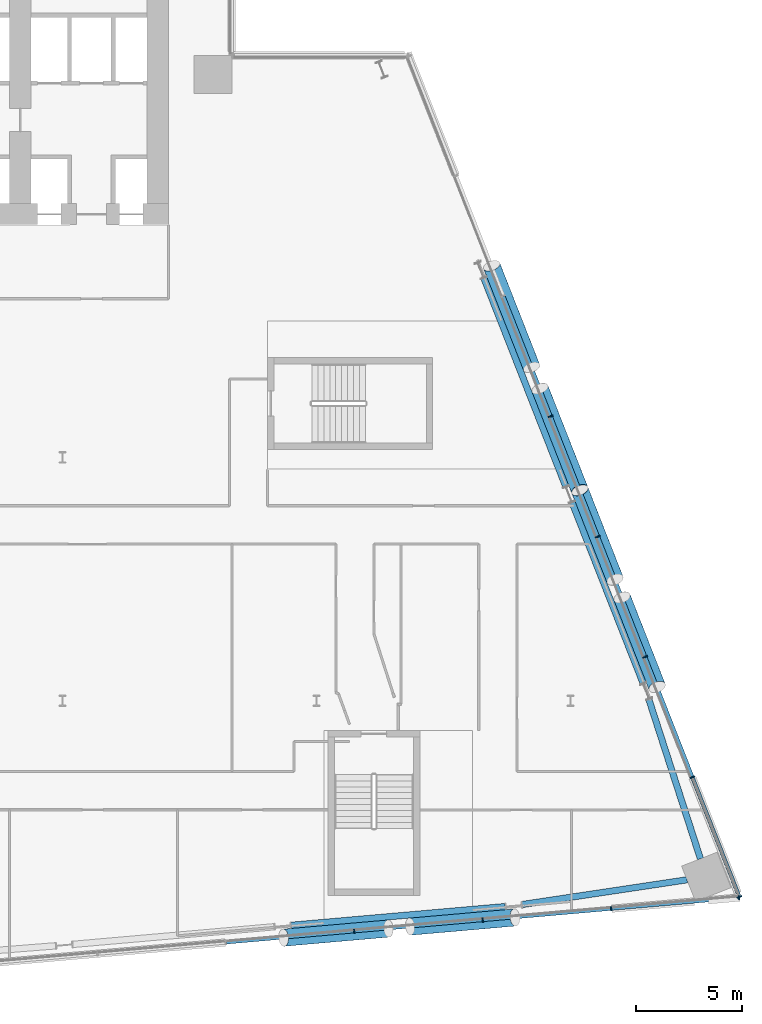
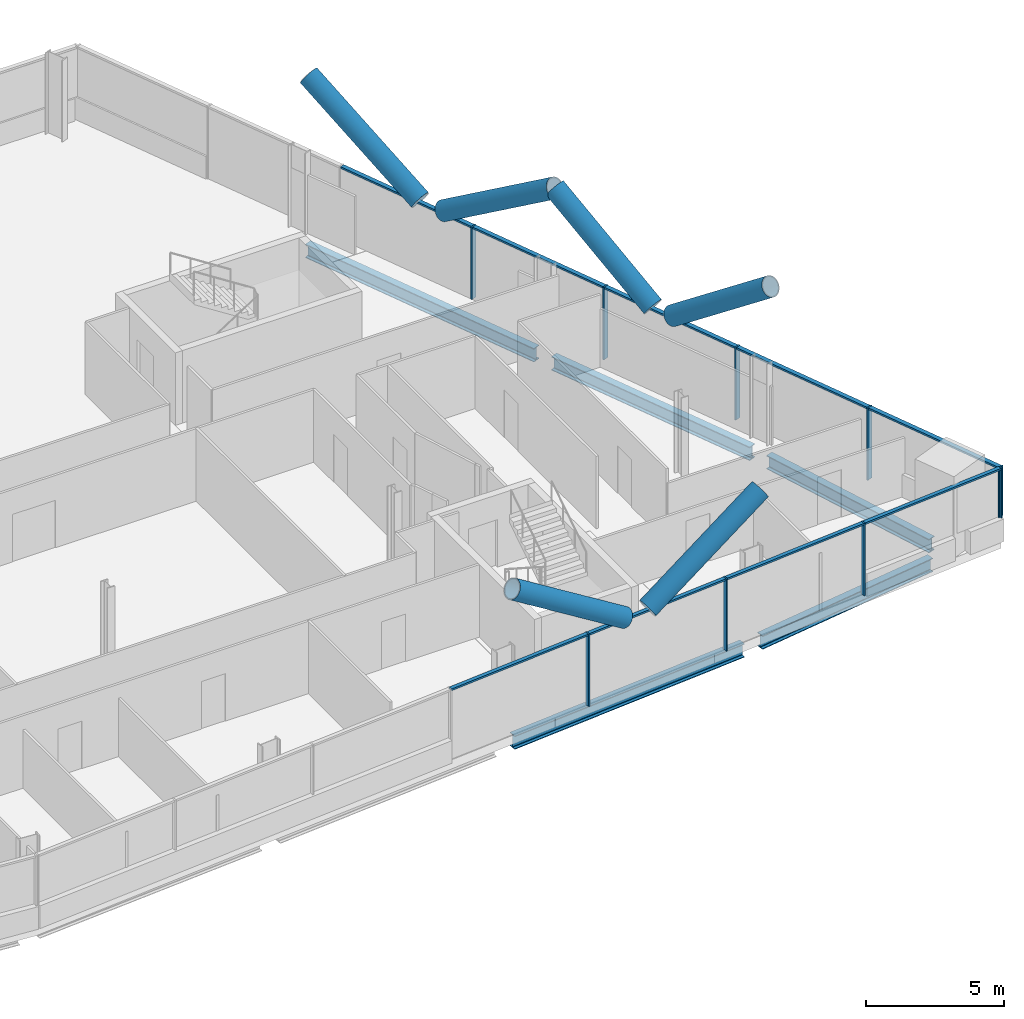
# One storey, part 10 of 28: 24 members, 5 beams, 2 elements without a shape of their own.
"""IFC4 building model written with IfcOpenShell, lengths in metres."""

from ifc_helpers import new_model, si_unit, direction, frame, origin, origin_2d, place, context, subcontext, project, spatial, rectangle, hollow_circle, i_section, extrude, material, material_profile, profile_set, type_object, element, aggregate, save


model = new_model("IFC4")

# Units and contexts
model_context = context("Model", 3, precision=1e-05, world=origin(), true_north=direction((0.0, 1.0)))
body_context = subcontext(model_context, "Body", "Model", "MODEL_VIEW")
ifc_project = project(units=[si_unit("LENGTHUNIT", "METRE"), si_unit("AREAUNIT", "SQUARE_METRE"), si_unit("VOLUMEUNIT", "CUBIC_METRE"), si_unit("PLANEANGLEUNIT", "RADIAN"), si_unit("MASSUNIT", "GRAM", prefix="KILO")], contexts=[model_context])

# Site, building, storey
site_placement = place(None, origin())
site = spatial("IfcSite", under=ifc_project, at=site_placement, CompositionType="ELEMENT")
building_placement = place(site_placement, origin())
building = spatial("IfcBuilding", under=site, at=building_placement, Name="Wharfspan Tower", CompositionType="ELEMENT")
storey_placement = place(building_placement, frame((0.0, 0.0, 132.699951)))
storey = spatial("IfcBuildingStorey", under=building, at=storey_placement, Name="L31", CompositionType="ELEMENT", Elevation=132.699951)

# Beams
ifc_material_1 = material(Name="Steel S355J2", Category="steel")
ifc_material_profile_1 = material_profile(ifc_material_1, i_section(OverallWidth=0.300049, OverallDepth=0.600098, WebThickness=0.015381, FlangeThickness=0.030029, FilletRadius=0.0271, at=origin_2d()))
ifc_profile_set_1 = profile_set([ifc_material_profile_1], Name="Steel S355J2")
beam_type = type_object("IfcBeamType", Name="Edge beam HEB 600", PredefinedType="SPANDREL", material=ifc_profile_set_1)
beam_1_placement = place(storey_placement, frame((70.805664, 0.887695, -0.699951), z_axis=(0.996194, 0.087159, 0.0), x_axis=(-0.087159, 0.996194, 0.0)))
element("IfcBeam", 1, at=beam_1_placement, inside=storey, type_object=beam_type, Name="Edge beam S2 L31 PS2.2 to PS2.3", PredefinedType="SPANDREL", context=body_context, shape_type="SweptSolid", body=[
    extrude(i_section(OverallWidth=0.300049, OverallDepth=0.600098, WebThickness=0.015381, FlangeThickness=0.030029, FilletRadius=0.0271, at=origin_2d()), origin(), (0.0, 0.0, 1.0), 10.159424),
])
beam_2_placement = place(storey_placement, frame((81.727295, 1.868408, -0.699951), z_axis=(0.988926, 0.148412, 0.0), x_axis=(-0.148412, 0.988926, 0.0)))
element("IfcBeam", 2, at=beam_2_placement, inside=storey, type_object=beam_type, Name="Edge beam S2 L31 PS2.3 to MC4", PredefinedType="SPANDREL", context=body_context, shape_type="SweptSolid", body=[
    extrude(i_section(OverallWidth=0.300049, OverallDepth=0.600098, WebThickness=0.015381, FlangeThickness=0.030029, FilletRadius=0.0271, at=origin_2d()), origin(), (0.0, 0.0, 1.0), 7.87793),
])
beam_3_placement = place(storey_placement, frame((90.150879, 4.02832, -0.699951), z_axis=(-0.307851, 0.951434, 0.0), x_axis=(-0.951434, -0.307851, 0.0)))
element("IfcBeam", 3, at=beam_3_placement, inside=storey, type_object=beam_type, Name="Edge beam E L31 MC4 to PE.1", PredefinedType="SPANDREL", context=body_context, shape_type="SweptSolid", body=[
    extrude(i_section(OverallWidth=0.300049, OverallDepth=0.600098, WebThickness=0.015381, FlangeThickness=0.030029, FilletRadius=0.0271, at=origin_2d()), origin(), (0.0, 0.0, 1.0), 7.924805),
])
beam_4_placement = place(storey_placement, frame((87.439453, 12.327637, -0.699951), z_axis=(-0.365779, 0.930702, 0.0), x_axis=(-0.930702, -0.365779, 0.0)))
element("IfcBeam", 4, at=beam_4_placement, inside=storey, type_object=beam_type, Name="Edge beam E L31 PE.1 to PE.2", PredefinedType="SPANDREL", context=body_context, shape_type="SweptSolid", body=[
    extrude(i_section(OverallWidth=0.300049, OverallDepth=0.600098, WebThickness=0.015381, FlangeThickness=0.030029, FilletRadius=0.0271, at=origin_2d()), origin(), (0.0, 0.0, 1.0), 9.184814),
])
beam_5_placement = place(storey_placement, frame((83.785156, 21.625977, -0.699951), z_axis=(-0.365789, 0.930698, 0.0), x_axis=(-0.930698, -0.365789, 0.0)))
element("IfcBeam", 5, at=beam_5_placement, inside=storey, type_object=beam_type, Name="Edge beam E L31 PE.2 to PE.3", PredefinedType="SPANDREL", context=body_context, shape_type="SweptSolid", body=[
    extrude(i_section(OverallWidth=0.300049, OverallDepth=0.600098, WebThickness=0.015381, FlangeThickness=0.030029, FilletRadius=0.0271, at=origin_2d()), origin(), (0.0, 0.0, 1.0), 10.584961),
])

# Curtain wall, members
ifc_material_2 = material(Name="Aluminium 6063-T6", Category="aluminium")
curtain_wall_type_1 = type_object("IfcCurtainWallType", Name="CURTAIN WALL FACETED FRONT", PredefinedType="NOTDEFINED", material=ifc_material_2)
curtain_wall_1_placement = place(storey_placement, origin())
curtain_wall_1 = element("IfcCurtainWall", 6, at=curtain_wall_1_placement, inside=storey, type_object=curtain_wall_type_1, Name="Curtain wall S2", PredefinedType="NOTDEFINED")
ifc_material_profile_2 = material_profile(ifc_material_2, rectangle(XDim=0.199951, YDim=0.060059, at=origin_2d()))
ifc_profile_set_2 = profile_set([ifc_material_profile_2], Name="Aluminium 6063-T6")
member_type_1 = type_object("IfcMemberType", Name="MULLION FACETED FRONT 60x200", PredefinedType="MULLION", material=ifc_profile_set_2)
member_1_placement = place(storey_placement, frame((73.785645, 0.606445, 0.0), z_axis=(0.0, 0.0, 1.0), x_axis=(-0.087156, 0.996198, 0.0)))
member_1 = element("IfcMember", 7, at=member_1_placement, type_object=member_type_1, Name="Curtain wall S2 mullion 5", PredefinedType="MULLION", context=body_context, shape_type="SweptSolid", body=[
    extrude(rectangle(XDim=0.199951, YDim=0.060059, at=origin_2d()), origin(), (0.0, 0.0, 1.0), 3.199951),
])
member_2_placement = place(storey_placement, frame((79.857178, 1.137695, 0.0), z_axis=(0.0, 0.0, 1.0), x_axis=(-0.087156, 0.996198, 0.0)))
member_2 = element("IfcMember", 8, at=member_2_placement, type_object=member_type_1, Name="Curtain wall S2 mullion 6", PredefinedType="MULLION", context=body_context, shape_type="SweptSolid", body=[
    extrude(rectangle(XDim=0.199951, YDim=0.060059, at=origin_2d()), origin(), (0.0, 0.0, 1.0), 3.199951),
])
member_3_placement = place(storey_placement, frame((85.928467, 1.668701, 0.0), z_axis=(0.0, 0.0, 1.0), x_axis=(-0.087156, 0.996198, 0.0)))
member_3 = element("IfcMember", 9, at=member_3_placement, type_object=member_type_1, Name="Curtain wall S2 mullion 7", PredefinedType="MULLION", context=body_context, shape_type="SweptSolid", body=[
    extrude(rectangle(XDim=0.199951, YDim=0.060059, at=origin_2d()), origin(), (0.0, 0.0, 1.0), 3.199951),
])
member_4_placement = place(storey_placement, frame((91.970215, 2.197266, 1.0), z_axis=(0.0, 0.0, 1.0), x_axis=(-0.087156, 0.996198, 0.0)))
member_4 = element("IfcMember", 10, at=member_4_placement, type_object=member_type_1, Name="Curtain wall S2 mullion 8", PredefinedType="MULLION", context=body_context, shape_type="SweptSolid", body=[
    extrude(rectangle(XDim=0.199951, YDim=0.060059, at=origin_2d()), origin(), (0.0, 0.0, 1.0), 2.199951),
])

curtain_wall_type_2 = type_object("IfcCurtainWallType", Name="CURTAIN WALL PROW AND END", PredefinedType="NOTDEFINED", material=ifc_material_2)
curtain_wall_2_placement = place(storey_placement, origin())
curtain_wall_2 = element("IfcCurtainWall", 11, at=curtain_wall_2_placement, inside=storey, type_object=curtain_wall_type_2, Name="Curtain wall E", PredefinedType="NOTDEFINED")
ifc_material_profile_3 = material_profile(ifc_material_2, rectangle(XDim=0.23999, YDim=0.060059, at=origin_2d()))
ifc_profile_set_3 = profile_set([ifc_material_profile_3], Name="Aluminium 6063-T6")
member_type_2 = type_object("IfcMemberType", Name="MULLION PROW AND END 60x240", PredefinedType="MULLION", material=ifc_profile_set_3)
member_5_placement = place(storey_placement, frame((91.989014, 2.228027, 1.0), z_axis=(0.0, 0.0, 1.0), x_axis=(-0.930702, -0.365778, 0.0)))
member_5 = element("IfcMember", 12, at=member_5_placement, type_object=member_type_2, Name="Curtain wall E mullion 1", PredefinedType="MULLION", context=body_context, shape_type="SweptSolid", body=[
    extrude(rectangle(XDim=0.23999, YDim=0.060059, at=origin_2d()), origin(), (0.0, 0.0, 1.0), 2.199951),
])
member_6_placement = place(storey_placement, frame((89.765381, 7.885742, 0.0), z_axis=(0.0, 0.0, 1.0), x_axis=(-0.930702, -0.365778, 0.0)))
member_6 = element("IfcMember", 13, at=member_6_placement, type_object=member_type_2, Name="Curtain wall E mullion 2", PredefinedType="MULLION", context=body_context, shape_type="SweptSolid", body=[
    extrude(rectangle(XDim=0.23999, YDim=0.060059, at=origin_2d()), origin(), (0.0, 0.0, 1.0), 3.199951),
])
member_7_placement = place(storey_placement, frame((87.530762, 13.571533, 0.0), z_axis=(0.0, 0.0, 1.0), x_axis=(-0.930702, -0.365778, 0.0)))
member_7 = element("IfcMember", 14, at=member_7_placement, type_object=member_type_2, Name="Curtain wall E mullion 3", PredefinedType="MULLION", context=body_context, shape_type="SweptSolid", body=[
    extrude(rectangle(XDim=0.23999, YDim=0.060059, at=origin_2d()), origin(), (0.0, 0.0, 1.0), 3.199951),
])
member_8_placement = place(storey_placement, frame((85.296387, 19.25708, 0.0), z_axis=(0.0, 0.0, 1.0), x_axis=(-0.930702, -0.365778, 0.0)))
member_8 = element("IfcMember", 15, at=member_8_placement, type_object=member_type_2, Name="Curtain wall E mullion 4", PredefinedType="MULLION", context=body_context, shape_type="SweptSolid", body=[
    extrude(rectangle(XDim=0.23999, YDim=0.060059, at=origin_2d()), origin(), (0.0, 0.0, 1.0), 3.199951),
])
member_9_placement = place(storey_placement, frame((83.061768, 24.942871, 0.0), z_axis=(0.0, 0.0, 1.0), x_axis=(-0.930702, -0.365778, 0.0)))
member_9 = element("IfcMember", 16, at=member_9_placement, type_object=member_type_2, Name="Curtain wall E mullion 5", PredefinedType="MULLION", context=body_context, shape_type="SweptSolid", body=[
    extrude(rectangle(XDim=0.23999, YDim=0.060059, at=origin_2d()), origin(), (0.0, 0.0, 1.0), 3.199951),
])

# Members
ifc_material_3 = material(Name="Steel S460NH", Category="steel")
ifc_material_profile_4 = material_profile(ifc_material_3, hollow_circle(Radius=0.406494, WallThickness=0.040039, at=origin_2d()))
ifc_profile_set_4 = profile_set([ifc_material_profile_4], Name="Steel S460NH")
member_type_3 = type_object("IfcMemberType", Name="Mega brace CHS 813x40", PredefinedType="BRACE", material=ifc_profile_set_4)
member_10_placement = place(storey_placement, frame((76.427002, 0.82251, 3.237793), z_axis=(0.832724, 0.07283, 0.548878), x_axis=(-0.087128, 0.996197, 1e-06)))
element("IfcMember", 17, at=member_10_placement, inside=storey, type_object=member_type_3, Name="Mega brace S2 L31 part 2", PredefinedType="BRACE", context=body_context, shape_type="SweptSolid", body=[
    extrude(hollow_circle(Radius=0.406494, WallThickness=0.040039, at=origin_2d()), origin(), (0.0, 0.0, 1.0), 5.943359),
])
member_11_placement = place(storey_placement, frame((75.401855, 0.73291, 3.237793), z_axis=(-0.832734, -0.072869, 0.548858), x_axis=(0.087173, -0.99619, 1e-06)))
element("IfcMember", 18, at=member_11_placement, inside=storey, type_object=member_type_3, Name="Mega brace S2 L31 part 4", PredefinedType="BRACE", context=body_context, shape_type="SweptSolid", body=[
    extrude(hollow_circle(Radius=0.406494, WallThickness=0.040039, at=origin_2d()), origin(), (0.0, 0.0, 1.0), 5.943604),
])
member_12_placement = place(storey_placement, frame((82.168213, 27.257812, 3.241699), z_axis=(-0.309223, 0.786709, 0.534294), x_axis=(-0.930685, -0.365812, -3e-06)))
element("IfcMember", 19, at=member_12_placement, inside=storey, type_object=member_type_3, Name="Mega brace E5 L31 part 2", PredefinedType="BRACE", context=body_context, shape_type="SweptSolid", body=[
    extrude(hollow_circle(Radius=0.406494, WallThickness=0.040039, at=origin_2d()), origin(), (0.0, 0.0, 1.0), 6.098389),
])
member_13_placement = place(storey_placement, frame((82.563477, 26.251709, 3.241699), z_axis=(0.309187, -0.786719, 0.534301), x_axis=(0.930704, 0.365777, 4e-06)))
element("IfcMember", 20, at=member_13_placement, inside=storey, type_object=member_type_3, Name="Mega brace E5 L31 part 4", PredefinedType="BRACE", context=body_context, shape_type="SweptSolid", body=[
    extrude(hollow_circle(Radius=0.406494, WallThickness=0.040039, at=origin_2d()), origin(), (0.0, 0.0, 1.0), 6.098145),
])
member_14_placement = place(storey_placement, frame((86.109863, 17.228027, 3.227783), z_axis=(-0.29675, 0.75507, 0.584645), x_axis=(-0.930704, -0.365779, 4e-06)))
element("IfcMember", 21, at=member_14_placement, inside=storey, type_object=member_type_3, Name="Mega brace E6 L31 part 2", PredefinedType="BRACE", context=body_context, shape_type="SweptSolid", body=[
    extrude(hollow_circle(Radius=0.406494, WallThickness=0.040039, at=origin_2d()), origin(), (0.0, 0.0, 1.0), 5.596924),
])
member_15_placement = place(storey_placement, frame((86.442627, 16.381348, 3.227783), z_axis=(0.29676, -0.755051, 0.584664), x_axis=(0.930695, 0.365797, 4e-06)))
element("IfcMember", 22, at=member_15_placement, inside=storey, type_object=member_type_3, Name="Mega brace E6 L31 part 4", PredefinedType="BRACE", context=body_context, shape_type="SweptSolid", body=[
    extrude(hollow_circle(Radius=0.406494, WallThickness=0.040039, at=origin_2d()), origin(), (0.0, 0.0, 1.0), 5.59668),
])

# Member
ifc_material_profile_5 = material_profile(ifc_material_2, rectangle(XDim=0.159912, YDim=0.080078, at=origin_2d()))
ifc_profile_set_5 = profile_set([ifc_material_profile_5], Name="Aluminium 6063-T6")
member_type_4 = type_object("IfcMemberType", Name="TRANSOM FACETED FRONT 80x160", PredefinedType="USERDEFINED", material=ifc_profile_set_5)
member_16_placement = place(storey_placement, frame((67.744141, 0.077881, 3.160156), z_axis=(0.996196, 0.087143, 0.0), x_axis=(-0.087143, 0.996196, 0.0)))
member_16 = element("IfcMember", 23, at=member_16_placement, type_object=member_type_4, Name="Curtain wall S2 transom 4", ObjectType="TRANSOM", PredefinedType="USERDEFINED", context=body_context, shape_type="SweptSolid", body=[
    extrude(rectangle(XDim=0.159912, YDim=0.080078, at=origin_2d()), origin(), (0.0, 0.0, 1.0), 6.034668),
])

member_17_placement = place(storey_placement, frame((73.815674, 0.609131, 3.160156), z_axis=(0.996196, 0.087146, 0.0), x_axis=(-0.087146, 0.996196, 0.0)))
member_17 = element("IfcMember", 24, at=member_17_placement, type_object=member_type_4, Name="Curtain wall S2 transom 5", ObjectType="TRANSOM", PredefinedType="USERDEFINED", context=body_context, shape_type="SweptSolid", body=[
    extrude(rectangle(XDim=0.159912, YDim=0.080078, at=origin_2d()), origin(), (0.0, 0.0, 1.0), 6.034424),
])

member_18_placement = place(storey_placement, frame((79.886963, 1.140137, 3.160156), z_axis=(0.996192, 0.087183, 0.0), x_axis=(-0.087183, 0.996192, 0.0)))
member_18 = element("IfcMember", 25, at=member_18_placement, type_object=member_type_4, Name="Curtain wall S2 transom 6", ObjectType="TRANSOM", PredefinedType="USERDEFINED", context=body_context, shape_type="SweptSolid", body=[
    extrude(rectangle(XDim=0.159912, YDim=0.080078, at=origin_2d()), origin(), (0.0, 0.0, 1.0), 6.034668),
])

member_19_placement = place(storey_placement, frame((85.958496, 1.671387, 3.160156), z_axis=(0.996193, 0.087174, 0.0), x_axis=(-0.087174, 0.996193, 0.0)))
member_19 = element("IfcMember", 26, at=member_19_placement, type_object=member_type_4, Name="Curtain wall S2 transom 7", ObjectType="TRANSOM", PredefinedType="USERDEFINED", context=body_context, shape_type="SweptSolid", body=[
    extrude(rectangle(XDim=0.159912, YDim=0.080078, at=origin_2d()), origin(), (0.0, 0.0, 1.0), 6.004639),
])

aggregate(curtain_wall_1, [member_1, member_2, member_3, member_4, member_16, member_17, member_18, member_19])

ifc_material_profile_6 = material_profile(ifc_material_2, rectangle(XDim=0.179932, YDim=0.080078, at=origin_2d()))
ifc_profile_set_6 = profile_set([ifc_material_profile_6], Name="Aluminium 6063-T6")
member_type_5 = type_object("IfcMemberType", Name="TRANSOM PROW AND END 80x180", PredefinedType="USERDEFINED", material=ifc_profile_set_6)
member_20_placement = place(storey_placement, frame((91.978027, 2.255859, 3.160156), z_axis=(-0.365775, 0.930703, 0.0), x_axis=(-0.930703, -0.365775, 0.0)))
member_20 = element("IfcMember", 27, at=member_20_placement, type_object=member_type_5, Name="Curtain wall E transom 1", ObjectType="TRANSOM", PredefinedType="USERDEFINED", context=body_context, shape_type="SweptSolid", body=[
    extrude(rectangle(XDim=0.179932, YDim=0.080078, at=origin_2d()), origin(), (0.0, 0.0, 1.0), 6.019043),
])

member_21_placement = place(storey_placement, frame((89.754395, 7.913574, 3.160156), z_axis=(-0.365782, 0.9307, 0.0), x_axis=(-0.9307, -0.365782, 0.0)))
member_21 = element("IfcMember", 28, at=member_21_placement, type_object=member_type_5, Name="Curtain wall E transom 2", ObjectType="TRANSOM", PredefinedType="USERDEFINED", context=body_context, shape_type="SweptSolid", body=[
    extrude(rectangle(XDim=0.179932, YDim=0.080078, at=origin_2d()), origin(), (0.0, 0.0, 1.0), 6.049072),
])

member_22_placement = place(storey_placement, frame((87.52002, 13.599365, 3.160156), z_axis=(-0.365782, 0.9307, 0.0), x_axis=(-0.9307, -0.365782, 0.0)))
member_22 = element("IfcMember", 29, at=member_22_placement, type_object=member_type_5, Name="Curtain wall E transom 3", ObjectType="TRANSOM", PredefinedType="USERDEFINED", context=body_context, shape_type="SweptSolid", body=[
    extrude(rectangle(XDim=0.179932, YDim=0.080078, at=origin_2d()), origin(), (0.0, 0.0, 1.0), 6.049072),
])

member_23_placement = place(storey_placement, frame((85.2854, 19.285156, 3.160156), z_axis=(-0.365782, 0.9307, 0.0), x_axis=(-0.9307, -0.365782, 0.0)))
member_23 = element("IfcMember", 30, at=member_23_placement, type_object=member_type_5, Name="Curtain wall E transom 4", ObjectType="TRANSOM", PredefinedType="USERDEFINED", context=body_context, shape_type="SweptSolid", body=[
    extrude(rectangle(XDim=0.179932, YDim=0.080078, at=origin_2d()), origin(), (0.0, 0.0, 1.0), 6.049072),
])

member_24_placement = place(storey_placement, frame((83.050781, 24.970703, 3.160156), z_axis=(-0.365782, 0.9307, 0.0), x_axis=(-0.9307, -0.365782, 0.0)))
member_24 = element("IfcMember", 31, at=member_24_placement, type_object=member_type_5, Name="Curtain wall E transom 5", ObjectType="TRANSOM", PredefinedType="USERDEFINED", context=body_context, shape_type="SweptSolid", body=[
    extrude(rectangle(XDim=0.179932, YDim=0.080078, at=origin_2d()), origin(), (0.0, 0.0, 1.0), 6.049072),
])

aggregate(curtain_wall_2, [member_5, member_6, member_7, member_8, member_9, member_20, member_21, member_22, member_23, member_24])

save(model, "model.ifc")
